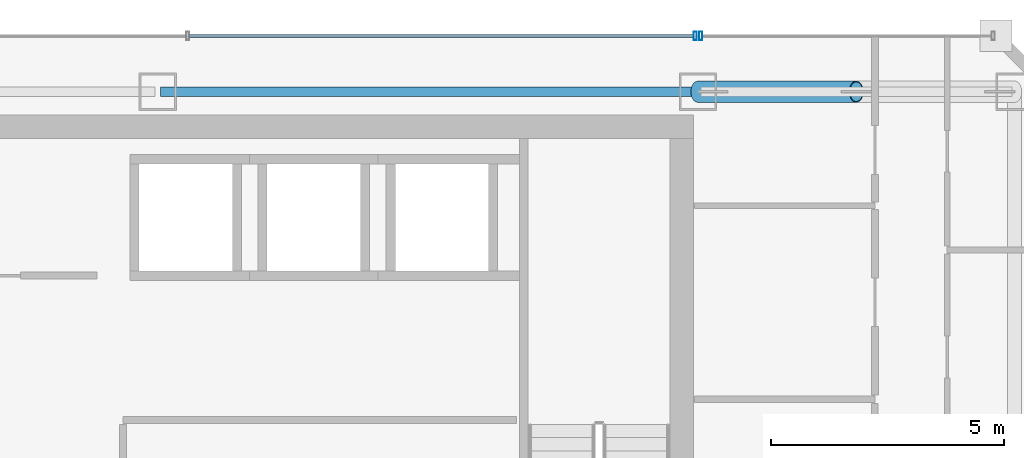
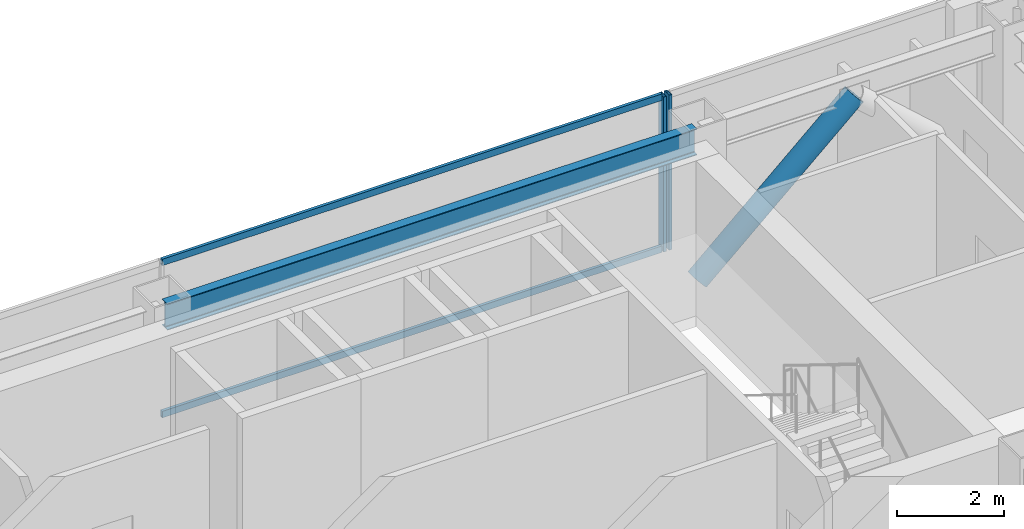
# One storey, part 26 of 36: 5 members, 1 beam, 2 elements without a shape of their own.
"""IFC4 building model written with IfcOpenShell, lengths in metres."""

from ifc_helpers import new_model, si_unit, direction, frame, origin, origin_2d, place, context, subcontext, project, spatial, hollow_rectangle, hollow_circle, i_section, extrude, material, material_profile, profile_set, type_object, element, aggregate, save


model = new_model("IFC4")

# Units and contexts
model_context = context("Model", 3, precision=1e-05, world=origin(), true_north=direction((0.0, 1.0)))
body_context = subcontext(model_context, "Body", "Model", "MODEL_VIEW")
ifc_project = project(units=[si_unit("LENGTHUNIT", "METRE"), si_unit("AREAUNIT", "SQUARE_METRE"), si_unit("VOLUMEUNIT", "CUBIC_METRE"), si_unit("PLANEANGLEUNIT", "RADIAN"), si_unit("MASSUNIT", "GRAM", prefix="KILO")], contexts=[model_context])

# Site, building, storey
site_placement = place(None, origin())
site = spatial("IfcSite", under=ifc_project, at=site_placement, CompositionType="ELEMENT")
building_placement = place(site_placement, origin())
building = spatial("IfcBuilding", under=site, at=building_placement, Name="Saevonmaru Cultural Tower", CompositionType="ELEMENT")
storey_placement = place(building_placement, frame((0.0, 0.0, 209.39990234375)))
storey = spatial("IfcBuildingStorey", under=building, at=storey_placement, Name="L48", CompositionType="ELEMENT", Elevation=209.39990234375)

# Beam
ifc_material_1 = material(Name="Steel SM355", Category="steel")
ifc_material_profile_1 = material_profile(ifc_material_1, i_section(OverallWidth=0.199951171875, OverallDepth=0.60009765625, WebThickness=0.010986328125, FlangeThickness=0.01708984375, FilletRadius=0.02197265625, at=origin_2d()), Name="H-600x200x11x17")
ifc_profile_set_1 = profile_set([ifc_material_profile_1], Name="Steel SM355")
beam_type = type_object("IfcBeamType", Name="BM-SP-H600", PredefinedType="SPANDREL", material=ifc_profile_set_1)
beam_placement = place(storey_placement, frame((34.860107421875, 54.800048828125, 3.25), z_axis=(1.0, 0.0, 0.0), x_axis=(0.0, 1.0, 0.0)))
element("IfcBeam", 1, at=beam_placement, inside=storey, type_object=beam_type, Name="L48 North Spine Girder 4", PredefinedType="SPANDREL", context=body_context, shape_type="SweptSolid", body=[
    extrude(i_section(OverallWidth=0.199951171875, OverallDepth=0.60009765625, WebThickness=0.010986328125, FlangeThickness=0.01708984375, FilletRadius=0.02197265625, at=origin_2d()), origin(), (0.0, 0.0, 1.0), 11.47998046875),
])

# Member
ifc_material_2 = material(Name="Steel SM420", Category="steel")
ifc_material_profile_2 = material_profile(ifc_material_2, hollow_circle(Radius=0.228515625, WallThickness=0.02001953125, at=origin_2d()), Name="CHS-457.2x20")
ifc_profile_set_2 = profile_set([ifc_material_profile_2], Name="Steel SM420")
member_type_1 = type_object("IfcMemberType", Name="MB-PBR-CHS457", PredefinedType="BRACE", material=ifc_profile_set_2)
member_1_placement = place(storey_placement, frame((46.39990234375, 54.800048828125, 0.02001953125), z_axis=(0.744390779303, 0.0, 0.66774423823), x_axis=(0.0, 1.0, 0.0)))
element("IfcMember", 2, at=member_1_placement, inside=storey, type_object=member_type_1, Name="L48 Perimeter Braced-Tube Diagonal EN1", PredefinedType="BRACE", context=body_context, shape_type="SweptSolid", body=[
    extrude(hollow_circle(Radius=0.228515625, WallThickness=0.02001953125, at=origin_2d()), origin(), (0.0, 0.0, 1.0), 4.567626953125),
])

# Curtain wall, member
ifc_material_3 = material(Name="Satin Bronze Anodised Aluminium", Category="aluminium")
curtain_wall_type = type_object("IfcCurtainWallType", Name="CW-TYP-B", PredefinedType="NOTDEFINED", material=ifc_material_3)
curtain_wall_1_placement = place(storey_placement, origin())
curtain_wall_1 = element("IfcCurtainWall", 3, at=curtain_wall_1_placement, inside=storey, type_object=curtain_wall_type, Name="L48 East Braced Bay Spandrel Curtain Wall E10A", PredefinedType="NOTDEFINED")
ifc_material_profile_3 = material_profile(ifc_material_3, hollow_rectangle(XDim=0.06494140625, YDim=0.179931640625, WallThickness=0.00390625, at=origin_2d()), Name="ALU-MULL-180x65x4")
ifc_profile_set_3 = profile_set([ifc_material_profile_3], Name="Satin Bronze Anodised Aluminium")
member_type_2 = type_object("IfcMemberType", Name="ML-CW-180x65", PredefinedType="MULLION", material=ifc_profile_set_3)
member_2_placement = place(storey_placement, frame((46.4599609375, 56.0, 0.0), z_axis=(0.0, 0.0, 1.0), x_axis=(-1.0, 0.0, 0.0)))
member_2 = element("IfcMember", 4, at=member_2_placement, type_object=member_type_2, Name="CW-TW-L48-E10A mullion 2", PredefinedType="MULLION", context=body_context, shape_type="SweptSolid", body=[
    extrude(hollow_rectangle(XDim=0.06494140625, YDim=0.179931640625, WallThickness=0.00390625, at=origin_2d()), origin(), (0.0, 0.0, 1.0), 3.550048828125),
])
aggregate(curtain_wall_1, [member_2])

# Curtain wall, members
curtain_wall_2_placement = place(storey_placement, origin())
curtain_wall_2 = element("IfcCurtainWall", 5, at=curtain_wall_2_placement, inside=storey, type_object=curtain_wall_type, Name="L48 North Spine Unitised Curtain Wall E10B", PredefinedType="NOTDEFINED")
member_3_placement = place(storey_placement, frame((46.340087890625, 56.0, 0.0), z_axis=(0.0, 0.0, 1.0), x_axis=(-1.0, 0.0, 0.0)))
member_3 = element("IfcMember", 6, at=member_3_placement, type_object=member_type_2, Name="CW-TW-L48-E10B mullion 1", PredefinedType="MULLION", context=body_context, shape_type="SweptSolid", body=[
    extrude(hollow_rectangle(XDim=0.06494140625, YDim=0.179931640625, WallThickness=0.00390625, at=origin_2d()), origin(), (0.0, 0.0, 1.0), 3.550048828125),
])
ifc_material_profile_4 = material_profile(ifc_material_3, hollow_rectangle(XDim=0.06494140625, YDim=0.14990234375, WallThickness=0.00390625, at=origin_2d()), Name="ALU-TRAN-150x65x4")
ifc_profile_set_4 = profile_set([ifc_material_profile_4], Name="Satin Bronze Anodised Aluminium")
member_type_3 = type_object("IfcMemberType", Name="TR-CW-150x65", PredefinedType="USERDEFINED", material=ifc_profile_set_4)
member_4_placement = place(storey_placement, frame((46.3076171875, 56.0, 0.03271484375), z_axis=(-1.0, 0.0, 0.0), x_axis=(0.0, -1.0, 0.0)))
member_4 = element("IfcMember", 7, at=member_4_placement, type_object=member_type_3, Name="CW-TW-L48-E10B transom 1.1", ObjectType="TRANSOM", PredefinedType="USERDEFINED", context=body_context, shape_type="SweptSolid", body=[
    extrude(hollow_rectangle(XDim=0.06494140625, YDim=0.14990234375, WallThickness=0.00390625, at=origin_2d()), origin(), (0.0, 0.0, 1.0), 10.828369140625),
])
member_5_placement = place(storey_placement, frame((46.3076171875, 56.0, 3.517578125), z_axis=(-1.0, 0.0, 0.0), x_axis=(0.0, -1.0, 0.0)))
member_5 = element("IfcMember", 8, at=member_5_placement, type_object=member_type_3, Name="CW-TW-L48-E10B transom 1.2", ObjectType="TRANSOM", PredefinedType="USERDEFINED", context=body_context, shape_type="SweptSolid", body=[
    extrude(hollow_rectangle(XDim=0.06494140625, YDim=0.14990234375, WallThickness=0.00390625, at=origin_2d()), origin(), (0.0, 0.0, 1.0), 10.828369140625),
])
aggregate(curtain_wall_2, [member_3, member_4, member_5])

save(model, "model.ifc")
